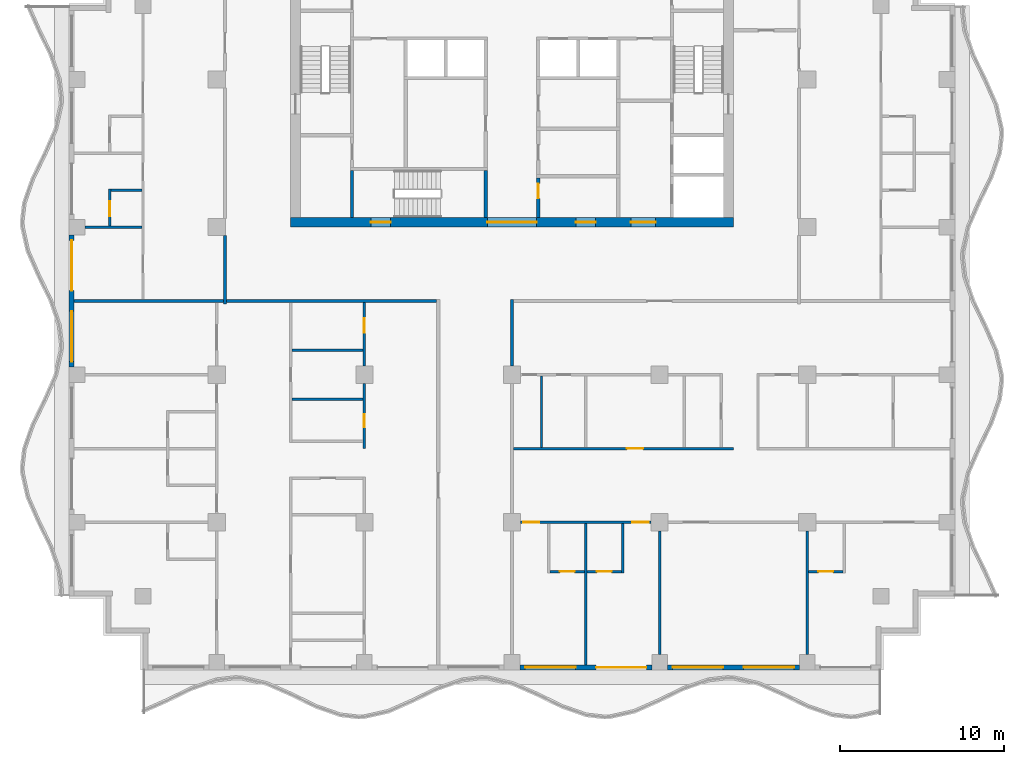
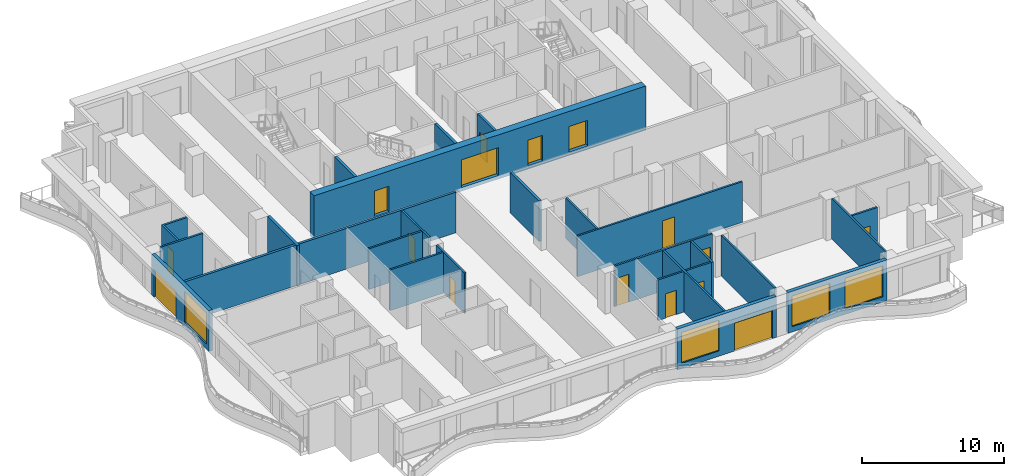
# One storey, part 3 of 11: 28 walls, 16 doors, 4 windows, 20 openings.
"""IFC4 building model written with IfcOpenShell, lengths in metres."""

import ifcopenshell
import ifcopenshell.guid

model = None  # the IFC model being written
_history = None  # IfcOwnerHistory: only IFC2X3 demands one
_inside = {}  # id of a spatial element -> (the spatial element, [elements in it])
_under = {}  # id of a project, library or spatial element -> (it, [spatial elements below it])
_declared = {}  # id of a project -> (the project, [libraries it declares])
_typed = {}  # id of a type object -> (the type object, [elements of that type])
_made_of = {}  # id of a material, layer set ... -> (it, [elements and type objects made of it])


def new_model(schema):
    """Start an empty IFC model of exactly this schema.

    Asked for "IFC4X3", IfcOpenShell would pick the latest addendum, in which some entities
    have other attributes; the version numbers below select the first issue.
    IFC2X3 requires an IfcOwnerHistory on every rooted entity: one is made here for all.
    """
    global model, _history
    if schema == "IFC4X3":
        model = ifcopenshell.file(schema_version=(4, 3, 0, 0))
    else:
        model = ifcopenshell.file(schema=schema)
    _inside.clear()
    _under.clear()
    _declared.clear()
    _typed.clear()
    _made_of.clear()
    _history = None
    if model.schema == "IFC2X3":
        org = make("IfcOrganization", Name="unknown")
        user = make(
            "IfcPersonAndOrganization",
            ThePerson=make("IfcPerson", FamilyName="unknown"),
            TheOrganization=org,
        )
        app = make(
            "IfcApplication",
            ApplicationDeveloper=org,
            Version="unknown",
            ApplicationFullName="unknown",
            ApplicationIdentifier="unknown",
        )
        _history = make(
            "IfcOwnerHistory",
            OwningUser=user,
            OwningApplication=app,
            ChangeAction="ADDED",
            CreationDate=0,
        )
    return model


def make(cls, **values):
    """One entity of the class cls with the attributes given. An attribute that is None is left unset."""
    return model.create_entity(
        cls, **{name: value for name, value in values.items() if value is not None}
    )


def rooted(cls, **values):
    """An entity with a GlobalId (a new one), such as an element, a storey or a relation."""
    return make(cls, GlobalId=ifcopenshell.guid.new(), OwnerHistory=_history, **values)


def si_unit(unit_type, name, prefix=None):
    """IfcSIUnit, for example si_unit("LENGTHUNIT", "METRE", prefix="MILLI")."""
    return make("IfcSIUnit", UnitType=unit_type, Prefix=prefix, Name=name)


def assignment(units):
    """IfcUnitAssignment: the units of a project."""
    return None if units is None else make("IfcUnitAssignment", Units=units)


def point(xyz):
    """IfcCartesianPoint."""
    return None if xyz is None else make("IfcCartesianPoint", Coordinates=xyz)


def direction(xyz):
    """IfcDirection."""
    return None if xyz is None else make("IfcDirection", DirectionRatios=xyz)


def frame(location, z_axis=None, x_axis=None):
    """IfcAxis2Placement3D, a coordinate frame: its origin and axes. An axis left out is left unset."""
    return make(
        "IfcAxis2Placement3D",
        Location=point(location),
        Axis=direction(z_axis),
        RefDirection=direction(x_axis),
    )


def frame_2d(location, x_axis=None):
    """IfcAxis2Placement2D, a coordinate frame in the plane: its origin and x axis."""
    return make(
        "IfcAxis2Placement2D", Location=point(location), RefDirection=direction(x_axis)
    )


def origin():
    """The frame at (0, 0, 0) with its axes left unset."""
    return frame((0.0, 0.0, 0.0))


def place(relative_to, where):
    """IfcLocalPlacement: puts the frame where relative to a parent placement (None: the world)."""
    return make(
        "IfcLocalPlacement", PlacementRelTo=relative_to, RelativePlacement=where
    )


def context(
    kind, dimensions, precision=None, world=None, true_north=None, identifier=None
):
    """IfcGeometricRepresentationContext, for example the 3D "Model" context."""
    return make(
        "IfcGeometricRepresentationContext",
        ContextIdentifier=identifier,
        ContextType=kind,
        CoordinateSpaceDimension=dimensions,
        Precision=precision,
        WorldCoordinateSystem=world,
        TrueNorth=true_north,
    )


def subcontext(parent, identifier, kind, view, scale=None):
    """IfcGeometricRepresentationSubContext, for example "Body" below "Model"."""
    return make(
        "IfcGeometricRepresentationSubContext",
        ContextIdentifier=identifier,
        ContextType=kind,
        ParentContext=parent,
        TargetScale=scale,
        TargetView=view,
    )


def project(units=None, contexts=None):
    """IfcProject with its units and contexts."""
    return rooted(
        "IfcProject",
        Name="project",
        RepresentationContexts=contexts,
        UnitsInContext=assignment(units),
    )


def spatial(cls, under=None, at=None, **own):
    """A site, building, storey or space (cls), placed at a placement, below another one or the project."""
    s = rooted(cls, ObjectPlacement=at, **own)
    if under is not None:
        _under.setdefault(under.id(), (under, []))[1].append(s)
    return s


def profile(cls, at=None, kind="AREA", **sizes):
    """A parametric profile (cls). Its sizes go by their IFC names, for example OverallWidth=200.0."""
    return make(cls, ProfileType=kind, Position=at, **sizes)


def rectangle(**sizes):
    """IfcRectangleProfileDef."""
    return profile("IfcRectangleProfileDef", **sizes)


def extrude(swept, where, along, depth):
    """IfcExtrudedAreaSolid: the profile swept, set in the frame where, extruded along a direction by depth."""
    return make(
        "IfcExtrudedAreaSolid",
        SweptArea=swept,
        Position=where,
        ExtrudedDirection=direction(along),
        Depth=depth,
    )


def shape(context_of_items, identifier, shape_type, items):
    """IfcShapeRepresentation: the items that make up one representation, for example the "Body"."""
    return make(
        "IfcShapeRepresentation",
        ContextOfItems=context_of_items,
        RepresentationIdentifier=identifier,
        RepresentationType=shape_type,
        Items=items,
    )


def material(Name=None, Category=None):
    """IfcMaterial."""
    return make("IfcMaterial", Name=Name, Category=Category)


def layer(
    of_material, thickness, ventilated=None, Name=None, Category=None, Priority=None
):
    """IfcMaterialLayer: one layer of a wall or slab, of a material (None: an air gap)."""
    return make(
        "IfcMaterialLayer",
        Material=of_material,
        LayerThickness=thickness,
        IsVentilated=ventilated,
        Name=Name,
        Category=Category,
        Priority=Priority,
    )


def layer_set(layers, Name=None):
    """IfcMaterialLayerSet."""
    return make("IfcMaterialLayerSet", MaterialLayers=layers, LayerSetName=Name)


def made_of(thing, what):
    """Note that an element or type object is made of a material, layer set ...; save() writes the relation."""
    if what is not None:
        _made_of.setdefault(what.id(), (what, []))[1].append(thing)
    return thing


def type_object(cls, material=None, **own):
    """A type object (cls), such as IfcWallType, which elements share."""
    return made_of(rooted(cls, **own), material)


def element(
    cls,
    number,
    at=None,
    inside=None,
    cuts=None,
    type_object=None,
    material=None,
    context=None,
    identifier="Body",
    shape_type=None,
    held_by="IfcProductDefinitionShape",
    body=None,
    shapes=None,
    **own,
):
    """One element of the class cls, such as IfcWall. Its Tag is "e" and its number.

    at: its placement. inside: the storey or other place that contains it. cuts: it is an
    opening in that element (IfcRelVoidsElement). A single representation is given by context,
    identifier, shape_type and body (its items); several are given by shapes. held_by: the class
    of the entity that holds the representations. save() writes the other relations.
    """
    e = rooted(cls, Tag="e%d" % number, ObjectPlacement=at, **own)
    if body is not None:
        shapes = [shape(context, identifier, shape_type, body)]
    if shapes is not None:
        e.Representation = make(held_by, Representations=shapes)
    if inside is not None:
        _inside.setdefault(inside.id(), (inside, []))[1].append(e)
    if cuts is not None:
        rooted(
            "IfcRelVoidsElement", RelatingBuildingElement=cuts, RelatedOpeningElement=e
        )
    if type_object is not None:
        _typed.setdefault(type_object.id(), (type_object, []))[1].append(e)
    return made_of(e, material)


def fill(opening, filler):
    """IfcRelFillsElement: the door or window that sits in an opening."""
    return rooted(
        "IfcRelFillsElement",
        RelatingOpeningElement=opening,
        RelatedBuildingElement=filler,
    )


def aggregate(whole, parts):
    """IfcRelAggregates: a whole, such as a stair, and the parts it consists of."""
    return rooted("IfcRelAggregates", RelatingObject=whole, RelatedObjects=parts)


def save(model, path):
    """Write the relations noted so far, then the file.

    IfcRelAggregates (storeys below a building ...), IfcRelContainedInSpatialStructure (elements
    in a storey), IfcRelDefinesByType, IfcRelAssociatesMaterial and IfcRelDeclares: one each for
    every whole, place, type object, material and project.
    """
    for whole, parts in _under.values():
        aggregate(whole, parts)
    for where, things in _inside.values():
        rooted(
            "IfcRelContainedInSpatialStructure",
            RelatedElements=things,
            RelatingStructure=where,
        )
    for kind, things in _typed.values():
        rooted("IfcRelDefinesByType", RelatedObjects=things, RelatingType=kind)
    for what, things in _made_of.values():
        rooted("IfcRelAssociatesMaterial", RelatedObjects=things, RelatingMaterial=what)
    for by, libraries in _declared.values():
        rooted("IfcRelDeclares", RelatingContext=by, RelatedDefinitions=libraries)
    model.write(path)


model = new_model("IFC4")

# Units and contexts
model_context = context("Model", 3, precision=1e-05, world=origin(), true_north=direction((0.0, 1.0)))
body_context = subcontext(model_context, "Body", "Model", "MODEL_VIEW")
ifc_project = project(units=[si_unit("LENGTHUNIT", "METRE"), si_unit("AREAUNIT", "SQUARE_METRE"), si_unit("VOLUMEUNIT", "CUBIC_METRE"), si_unit("PLANEANGLEUNIT", "RADIAN"), si_unit("MASSUNIT", "GRAM", prefix="KILO")], contexts=[model_context])

# Site, building, storey
site_placement = place(None, origin())
site = spatial("IfcSite", under=ifc_project, at=site_placement, CompositionType="ELEMENT")
building_placement = place(site_placement, origin())
building = spatial("IfcBuilding", under=site, at=building_placement, Name="Orbiselva Terraces", CompositionType="ELEMENT")
storey_placement = place(building_placement, frame((0.0, 0.0, 222.4)))
storey = spatial("IfcBuildingStorey", under=building, at=storey_placement, Name="L56", CompositionType="ELEMENT", Elevation=222.4)

# Wall, openings, doors
ifc_material_1 = material(Name="Concrete C80/95", Category="concrete")
ifc_layer_1 = layer(ifc_material_1, 0.6)
ifc_layer_set_1 = layer_set([ifc_layer_1], Name="Concrete C80/95")
wall_type_1 = type_object("IfcWallType", Name="CORE WALL 600", PredefinedType="SHEAR", material=ifc_layer_set_1)
wall_1_placement = place(storey_placement, frame((-13.5, 4.8, -0.3), z_axis=(0.0, 0.0, 1.0), x_axis=(1.0, 0.0, 0.0)))
wall_1 = element("IfcWall", 1, at=wall_1_placement, inside=storey, type_object=wall_type_1, Name="Core wall L56 south", PredefinedType="SHEAR", context=body_context, shape_type="SweptSolid", body=[
    extrude(rectangle(XDim=27.0, YDim=0.6, at=frame_2d((13.5, 0.0))), origin(), (0.0, 0.0, 1.0), 3.8),
])
opening_1_placement = place(wall_1_placement, frame((12.0, 0.0, 0.3)))
opening_1 = element("IfcOpeningElement", 2, at=opening_1_placement, cuts=wall_1, Name="Opening DL3000", PredefinedType="OPENING", context=body_context, shape_type="SweptSolid", body=[
    extrude(rectangle(XDim=3.0, YDim=2.4, at=frame_2d((1.5, 1.2))), frame((0.0, 0.31, 0.0), z_axis=(0.0, -1.0, 0.0), x_axis=(1.0, 0.0, 0.0)), (0.0, 0.0, 1.0), 0.62),
])
opening_2_placement = place(wall_1_placement, frame((4.9, 0.0, 0.3)))
opening_2 = element("IfcOpeningElement", 3, at=opening_2_placement, cuts=wall_1, Name="Opening DS1200", PredefinedType="OPENING", context=body_context, shape_type="SweptSolid", body=[
    extrude(rectangle(XDim=1.2, YDim=2.2, at=frame_2d((0.6, 1.1))), frame((0.0, 0.31, 0.0), z_axis=(0.0, -1.0, 0.0), x_axis=(1.0, 0.0, 0.0)), (0.0, 0.0, 1.0), 0.62),
])
opening_3_placement = place(wall_1_placement, frame((20.75, 0.0, 0.3)))
opening_3 = element("IfcOpeningElement", 4, at=opening_3_placement, cuts=wall_1, Name="Opening DF1500", PredefinedType="OPENING", context=body_context, shape_type="SweptSolid", body=[
    extrude(rectangle(XDim=1.5, YDim=2.2, at=frame_2d((0.75, 1.1))), frame((0.0, 0.31, 0.0), z_axis=(0.0, -1.0, 0.0), x_axis=(1.0, 0.0, 0.0)), (0.0, 0.0, 1.0), 0.62),
])
opening_4_placement = place(wall_1_placement, frame((17.4, 0.0, 0.3)))
opening_4 = element("IfcOpeningElement", 5, at=opening_4_placement, cuts=wall_1, Name="Opening DV1200", PredefinedType="OPENING", context=body_context, shape_type="SweptSolid", body=[
    extrude(rectangle(XDim=1.2, YDim=2.2, at=frame_2d((0.6, 1.1))), frame((0.0, 0.31, 0.0), z_axis=(0.0, -1.0, 0.0), x_axis=(1.0, 0.0, 0.0)), (0.0, 0.0, 1.0), 0.62),
])
ifc_material_2 = material(Name="Steel fire door", Category="steel")
door_type_1 = type_object("IfcDoorType", Name="FFL DOOR 1500", OperationType="DOUBLE_DOOR_SINGLE_SWING", PredefinedType="DOOR", material=ifc_material_2)
door_1_placement = place(opening_3_placement, frame((1.5, 0.0, 0.0), z_axis=(0.0, 0.0, 1.0), x_axis=(-1.0, 0.0, 0.0)))
door_1 = element("IfcDoor", 6, at=door_1_placement, inside=storey, type_object=door_type_1, Name="L56 FIRE-FIGHTING LOBBY door", OperationType="DOUBLE_DOOR_SINGLE_SWING", OverallHeight=2.2, OverallWidth=1.5, PredefinedType="DOOR", context=body_context, shape_type="SweptSolid", body=[
    extrude(rectangle(XDim=1.5, YDim=2.2, at=frame_2d((0.75, 1.1))), frame((0.0, 0.025, 0.0), z_axis=(0.0, -1.0, 0.0), x_axis=(1.0, 0.0, 0.0)), (0.0, 0.0, 1.0), 0.05),
])
fill(opening_3, door_1)
door_type_2 = type_object("IfcDoorType", Name="LOBBY DOOR 3000", OperationType="DOUBLE_DOOR_SINGLE_SWING", PredefinedType="DOOR", material=ifc_material_2)
door_2_placement = place(opening_1_placement, frame((3.0, 0.0, 0.0), z_axis=(0.0, 0.0, 1.0), x_axis=(-1.0, 0.0, 0.0)))
door_2 = element("IfcDoor", 7, at=door_2_placement, inside=storey, type_object=door_type_2, Name="L56 LIFT LOBBY door", OperationType="DOUBLE_DOOR_SINGLE_SWING", OverallHeight=2.4, OverallWidth=3.0, PredefinedType="DOOR", context=body_context, shape_type="SweptSolid", body=[
    extrude(rectangle(XDim=3.0, YDim=2.4, at=frame_2d((1.5, 1.2))), frame((0.0, 0.025, 0.0), z_axis=(0.0, -1.0, 0.0), x_axis=(1.0, 0.0, 0.0)), (0.0, 0.0, 1.0), 0.05),
])
fill(opening_1, door_2)
door_type_3 = type_object("IfcDoorType", Name="SERVICE DOOR 1200", OperationType="NOTDEFINED", PredefinedType="DOOR", material=ifc_material_2)
door_3_placement = place(opening_4_placement, frame((1.2, 0.0, 0.0), z_axis=(0.0, 0.0, 1.0), x_axis=(-1.0, 0.0, 0.0)))
door_3 = element("IfcDoor", 8, at=door_3_placement, inside=storey, type_object=door_type_3, Name="L56 ELECTRICAL RISER ROOM door", OperationType="SINGLE_SWING_RIGHT", OverallHeight=2.2, OverallWidth=1.2, PredefinedType="DOOR", context=body_context, shape_type="SweptSolid", body=[
    extrude(rectangle(XDim=1.2, YDim=2.2, at=frame_2d((0.6, 1.1))), frame((0.0, 0.025, 0.0), z_axis=(0.0, -1.0, 0.0), x_axis=(1.0, 0.0, 0.0)), (0.0, 0.0, 1.0), 0.05),
])
fill(opening_4, door_3)
door_type_4 = type_object("IfcDoorType", Name="STAIR DOOR 1200", OperationType="NOTDEFINED", PredefinedType="DOOR", material=ifc_material_2)
door_4_placement = place(opening_2_placement, frame((1.2, 0.0, 0.0), z_axis=(0.0, 0.0, 1.0), x_axis=(-1.0, 0.0, 0.0)))
door_4 = element("IfcDoor", 9, at=door_4_placement, inside=storey, type_object=door_type_4, Name="L56 EXIT STAIR S3 door", OperationType="SINGLE_SWING_LEFT", OverallHeight=2.2, OverallWidth=1.2, PredefinedType="DOOR", context=body_context, shape_type="SweptSolid", body=[
    extrude(rectangle(XDim=1.2, YDim=2.2, at=frame_2d((0.6, 1.1))), frame((0.0, 0.025, 0.0), z_axis=(0.0, -1.0, 0.0), x_axis=(1.0, 0.0, 0.0)), (0.0, 0.0, 1.0), 0.05),
])
fill(opening_2, door_4)

# Wall, opening, door
ifc_material_3 = material(Name="Masonry blockwork", Category="masonry")
ifc_layer_2 = layer(ifc_material_3, 0.2)
ifc_layer_set_2 = layer_set([ifc_layer_2], Name="Masonry blockwork")
wall_type_2 = type_object("IfcWallType", Name="CORE-WALL-PARTITION-200", PredefinedType="PARTITIONING", material=ifc_layer_set_2)
wall_2_placement = place(storey_placement, frame((1.6, 7.5, 0.0), z_axis=(0.0, 0.0, 1.0), x_axis=(0.0, -1.0, 0.0)))
wall_2 = element("IfcWall", 10, at=wall_2_placement, inside=storey, type_object=wall_type_2, Name="L56 core wall 22", PredefinedType="PARTITIONING", context=body_context, shape_type="SweptSolid", body=[
    extrude(rectangle(XDim=2.4, YDim=0.2, at=frame_2d((1.2, 0.0))), origin(), (0.0, 0.0, 1.0), 3.5),
])
opening_5_placement = place(wall_2_placement, frame((0.35, 0.0, 0.0)))
opening_5 = element("IfcOpeningElement", 11, at=opening_5_placement, cuts=wall_2, Name="Opening DR900", PredefinedType="OPENING", context=body_context, shape_type="SweptSolid", body=[
    extrude(rectangle(XDim=0.9, YDim=2.1, at=frame_2d((0.45, 1.05))), frame((0.0, 0.11, 0.0), z_axis=(0.0, -1.0, 0.0), x_axis=(1.0, 0.0, 0.0)), (0.0, 0.0, 1.0), 0.22),
])
door_type_5 = type_object("IfcDoorType", Name="ROOM DOOR 900", OperationType="NOTDEFINED", PredefinedType="DOOR", material=ifc_material_2)
door_5_placement = place(opening_5_placement, origin())
door_5 = element("IfcDoor", 12, at=door_5_placement, inside=storey, type_object=door_type_5, Name="L56 ELECTRICAL RISER ROOM door", OperationType="SINGLE_SWING_LEFT", OverallHeight=2.1, OverallWidth=0.9, PredefinedType="DOOR", context=body_context, shape_type="SweptSolid", body=[
    extrude(rectangle(XDim=0.9, YDim=2.1, at=frame_2d((0.45, 1.05))), frame((0.0, 0.025, 0.0), z_axis=(0.0, -1.0, 0.0), x_axis=(1.0, 0.0, 0.0)), (0.0, 0.0, 1.0), 0.05),
])
fill(opening_5, door_5)

# Walls
ifc_material_4 = material(Name="Concrete C60/75", Category="concrete")
ifc_layer_3 = layer(ifc_material_4, 0.2)
ifc_layer_set_3 = layer_set([ifc_layer_3], Name="Concrete C60/75")
wall_type_3 = type_object("IfcWallType", Name="CORE-WALL-SHEAR-200", PredefinedType="SHEAR", material=ifc_layer_set_3)
for number, where, z_axis, x_axis, name in (
    (13, (-9.75, 5.1, 0.0), (0.0, 0.0, 1.0), (0.0, 1.0, 0.0), "L56 core wall 03"),
    (14, (-1.6, 5.1, 0.0), (0.0, 0.0, 1.0), (0.0, 1.0, 0.0), "L56 core wall 18"),
):
    element("IfcWall", number, at=place(storey_placement, frame(where, z_axis=z_axis, x_axis=x_axis)), inside=storey, type_object=wall_type_3, Name=name, PredefinedType="SHEAR", context=body_context, shape_type="SweptSolid", body=[
        extrude(rectangle(XDim=2.85, YDim=0.2, at=frame_2d((1.425, 0.0))), origin(), (0.0, 0.0, 1.0), 3.5),
    ])

# Wall, openings, door, window
ifc_material_5 = material(Name="Terracotta cladding on masonry backing", Category="masonry")
ifc_layer_4 = layer(ifc_material_5, 0.3)
ifc_layer_set_4 = layer_set([ifc_layer_4], Name="Terracotta cladding on masonry backing")
wall_type_4 = type_object("IfcWallType", Name="ENV-WALL-TERRACOTTA-300", PredefinedType="SOLIDWALL", material=ifc_layer_set_4)
wall_3_placement = place(storey_placement, frame((8.525, -22.35, 0.0), z_axis=(0.0, 0.0, 1.0), x_axis=(-1.0, 0.0, 0.0)))
wall_3 = element("IfcWall", 15, at=wall_3_placement, inside=storey, type_object=wall_type_4, Name="Facade wall L56 S", PredefinedType="SOLIDWALL", context=body_context, shape_type="SweptSolid", body=[
    extrude(rectangle(XDim=8.05, YDim=0.3, at=frame_2d((4.025, 0.0))), origin(), (0.0, 0.0, 1.0), 3.5),
])
opening_6_placement = place(wall_3_placement, frame((4.65, 0.0, 0.45)))
opening_6 = element("IfcOpeningElement", 16, at=opening_6_placement, cuts=wall_3, Name="Opening WN15", PredefinedType="OPENING", context=body_context, shape_type="SweptSolid", body=[
    extrude(rectangle(XDim=3.075, YDim=2.65, at=frame_2d((1.5375, 1.325))), frame((0.0, 0.16, 0.0), z_axis=(0.0, -1.0, 0.0), x_axis=(1.0, 0.0, 0.0)), (0.0, 0.0, 1.0), 0.32),
])
opening_7_placement = place(wall_3_placement, frame((0.325, 0.0, 0.0)))
opening_7 = element("IfcOpeningElement", 17, at=opening_7_placement, cuts=wall_3, Name="Opening Z4-D-E03", PredefinedType="OPENING", context=body_context, shape_type="SweptSolid", body=[
    extrude(rectangle(XDim=3.075, YDim=2.4, at=frame_2d((1.5375, 1.2))), frame((0.0, 0.16, 0.0), z_axis=(0.0, -1.0, 0.0), x_axis=(1.0, 0.0, 0.0)), (0.0, 0.0, 1.0), 0.32),
])
ifc_material_6 = material(Name="Clear low-e glazing in aluminium frame", Category="aluminium")
door_type_6 = type_object("IfcDoorType", Name="BALCONY DOOR 3075 X 2400", OperationType="DOUBLE_DOOR_SLIDING", PredefinedType="DOOR", material=ifc_material_6)
door_6_placement = place(opening_7_placement, origin())
door_6 = element("IfcDoor", 18, at=door_6_placement, inside=storey, type_object=door_type_6, Name="Z4-D-E03", OperationType="SINGLE_SWING_LEFT", OverallHeight=2.4, OverallWidth=3.075, PredefinedType="DOOR", context=body_context, shape_type="SweptSolid", body=[
    extrude(rectangle(XDim=3.075, YDim=2.4, at=frame_2d((1.5375, 1.2))), frame((0.0, 0.025, 0.0), z_axis=(0.0, -1.0, 0.0), x_axis=(1.0, 0.0, 0.0)), (0.0, 0.0, 1.0), 0.05),
])
fill(opening_7, door_6)
window_type = type_object("IfcWindowType", Name="WINDOW 3075 X 2650 S450", PartitioningType="TRIPLE_PANEL_VERTICAL", PredefinedType="WINDOW", material=ifc_material_6)
window_1_placement = place(opening_6_placement, origin())
window_1 = element("IfcWindow", 19, at=window_1_placement, inside=storey, type_object=window_type, Name="Window L56 S", OverallHeight=2.65, OverallWidth=3.075, PartitioningType="SINGLE_PANEL", PredefinedType="WINDOW", context=body_context, shape_type="SweptSolid", body=[
    extrude(rectangle(XDim=3.075, YDim=2.65, at=frame_2d((1.5375, 1.325))), frame((0.0, 0.03, 0.0), z_axis=(0.0, -1.0, 0.0), x_axis=(1.0, 0.0, 0.0)), (0.0, 0.0, 1.0), 0.06),
])
fill(opening_6, window_1)

# Wall, openings, windows
wall_4_placement = place(storey_placement, frame((17.525, -22.35, 0.0), z_axis=(0.0, 0.0, 1.0), x_axis=(-1.0, 0.0, 0.0)))
wall_4 = element("IfcWall", 20, at=wall_4_placement, inside=storey, type_object=wall_type_4, Name="Facade wall L56 S", PredefinedType="SOLIDWALL", context=body_context, shape_type="SweptSolid", body=[
    extrude(rectangle(XDim=8.05, YDim=0.3, at=frame_2d((4.025, 0.0))), origin(), (0.0, 0.0, 1.0), 3.5),
])
opening_8_placement = place(wall_4_placement, frame((4.65, 0.0, 0.45)))
opening_8 = element("IfcOpeningElement", 21, at=opening_8_placement, cuts=wall_4, Name="Opening WN15", PredefinedType="OPENING", context=body_context, shape_type="SweptSolid", body=[
    extrude(rectangle(XDim=3.075, YDim=2.65, at=frame_2d((1.5375, 1.325))), frame((0.0, 0.16, 0.0), z_axis=(0.0, -1.0, 0.0), x_axis=(1.0, 0.0, 0.0)), (0.0, 0.0, 1.0), 0.32),
])
opening_9_placement = place(wall_4_placement, frame((0.325, 0.0, 0.45)))
opening_9 = element("IfcOpeningElement", 22, at=opening_9_placement, cuts=wall_4, Name="Opening WN15", PredefinedType="OPENING", context=body_context, shape_type="SweptSolid", body=[
    extrude(rectangle(XDim=3.075, YDim=2.65, at=frame_2d((1.5375, 1.325))), frame((0.0, 0.16, 0.0), z_axis=(0.0, -1.0, 0.0), x_axis=(1.0, 0.0, 0.0)), (0.0, 0.0, 1.0), 0.32),
])
window_2_placement = place(opening_8_placement, origin())
window_2 = element("IfcWindow", 23, at=window_2_placement, inside=storey, type_object=window_type, Name="Window L56 S", OverallHeight=2.65, OverallWidth=3.075, PartitioningType="SINGLE_PANEL", PredefinedType="WINDOW", context=body_context, shape_type="SweptSolid", body=[
    extrude(rectangle(XDim=3.075, YDim=2.65, at=frame_2d((1.5375, 1.325))), frame((0.0, 0.03, 0.0), z_axis=(0.0, -1.0, 0.0), x_axis=(1.0, 0.0, 0.0)), (0.0, 0.0, 1.0), 0.06),
])
fill(opening_8, window_2)
window_3_placement = place(opening_9_placement, origin())
window_3 = element("IfcWindow", 24, at=window_3_placement, inside=storey, type_object=window_type, Name="Window L56 S", OverallHeight=2.65, OverallWidth=3.075, PartitioningType="SINGLE_PANEL", PredefinedType="WINDOW", context=body_context, shape_type="SweptSolid", body=[
    extrude(rectangle(XDim=3.075, YDim=2.65, at=frame_2d((1.5375, 1.325))), frame((0.0, 0.03, 0.0), z_axis=(0.0, -1.0, 0.0), x_axis=(1.0, 0.0, 0.0)), (0.0, 0.0, 1.0), 0.06),
])
fill(opening_9, window_3)

# Wall, openings, door, window
wall_5_placement = place(storey_placement, frame((-26.85, -4.025, 0.0), z_axis=(0.0, 0.0, 1.0), x_axis=(0.0, 1.0, 0.0)))
wall_5 = element("IfcWall", 25, at=wall_5_placement, inside=storey, type_object=wall_type_4, Name="Facade wall L56 W", PredefinedType="SOLIDWALL", context=body_context, shape_type="SweptSolid", body=[
    extrude(rectangle(XDim=8.05, YDim=0.3, at=frame_2d((4.025, 0.0))), origin(), (0.0, 0.0, 1.0), 3.5),
])
opening_10_placement = place(wall_5_placement, frame((4.65, 0.0, 0.0)))
opening_10 = element("IfcOpeningElement", 26, at=opening_10_placement, cuts=wall_5, Name="Opening Z4-D-E11", PredefinedType="OPENING", context=body_context, shape_type="SweptSolid", body=[
    extrude(rectangle(XDim=3.075, YDim=2.4, at=frame_2d((1.5375, 1.2))), frame((0.0, 0.16, 0.0), z_axis=(0.0, -1.0, 0.0), x_axis=(1.0, 0.0, 0.0)), (0.0, 0.0, 1.0), 0.32),
])
opening_11_placement = place(wall_5_placement, frame((0.325, 0.0, 0.45)))
opening_11 = element("IfcOpeningElement", 27, at=opening_11_placement, cuts=wall_5, Name="Opening WN15", PredefinedType="OPENING", context=body_context, shape_type="SweptSolid", body=[
    extrude(rectangle(XDim=3.075, YDim=2.65, at=frame_2d((1.5375, 1.325))), frame((0.0, 0.16, 0.0), z_axis=(0.0, -1.0, 0.0), x_axis=(1.0, 0.0, 0.0)), (0.0, 0.0, 1.0), 0.32),
])
door_7_placement = place(opening_10_placement, origin())
door_7 = element("IfcDoor", 28, at=door_7_placement, inside=storey, type_object=door_type_6, Name="Z4-D-E11", OperationType="SINGLE_SWING_LEFT", OverallHeight=2.4, OverallWidth=3.075, PredefinedType="DOOR", context=body_context, shape_type="SweptSolid", body=[
    extrude(rectangle(XDim=3.075, YDim=2.4, at=frame_2d((1.5375, 1.2))), frame((0.0, 0.025, 0.0), z_axis=(0.0, -1.0, 0.0), x_axis=(1.0, 0.0, 0.0)), (0.0, 0.0, 1.0), 0.05),
])
fill(opening_10, door_7)
window_4_placement = place(opening_11_placement, origin())
window_4 = element("IfcWindow", 29, at=window_4_placement, inside=storey, type_object=window_type, Name="Window L56 W", OverallHeight=2.65, OverallWidth=3.075, PartitioningType="SINGLE_PANEL", PredefinedType="WINDOW", context=body_context, shape_type="SweptSolid", body=[
    extrude(rectangle(XDim=3.075, YDim=2.65, at=frame_2d((1.5375, 1.325))), frame((0.0, 0.03, 0.0), z_axis=(0.0, -1.0, 0.0), x_axis=(1.0, 0.0, 0.0)), (0.0, 0.0, 1.0), 0.06),
])
fill(opening_11, window_4)

# Walls
ifc_material_7 = material(Name="Plasterboard on steel stud partition", Category="steel")
ifc_layer_5 = layer(ifc_material_7, 0.2)
ifc_layer_set_5 = layer_set([ifc_layer_5], Name="Plasterboard on steel stud partition")
wall_type_5 = type_object("IfcWallType", Name="UNIT-ENTRANCE-WALL-200", PredefinedType="PARTITIONING", material=ifc_layer_set_5)
wall_6_placement = place(storey_placement, frame((-17.4, 0.0, 0.0), z_axis=(0.0, 0.0, 1.0), x_axis=(1.0, 0.0, 0.0)))
element("IfcWall", 30, at=wall_6_placement, inside=storey, type_object=wall_type_5, Name="PARTITION L56-027", PredefinedType="PARTITIONING", context=body_context, shape_type="SweptSolid", body=[
    extrude(rectangle(XDim=12.8, YDim=0.2, at=frame_2d((6.4, 0.0))), origin(), (0.0, 0.0, 1.0), 3.5),
])
wall_7_placement = place(storey_placement, frame((-17.5, -0.2, 0.0), z_axis=(0.0, 0.0, 1.0), x_axis=(0.0, 1.0, 0.0)))
element("IfcWall", 31, at=wall_7_placement, inside=storey, type_object=wall_type_5, Name="PARTITION L56-050", PredefinedType="PARTITIONING", context=body_context, shape_type="SweptSolid", body=[
    extrude(rectangle(XDim=4.175, YDim=0.2, at=frame_2d((2.0875, 0.0))), origin(), (0.0, 0.0, 1.0), 3.5),
])
wall_8_placement = place(storey_placement, frame((0.0, -3.975, 0.0), z_axis=(0.0, 0.0, 1.0), x_axis=(0.0, 1.0, 0.0)))
element("IfcWall", 32, at=wall_8_placement, inside=storey, type_object=wall_type_5, Name="PARTITION L56-062", PredefinedType="PARTITIONING", context=body_context, shape_type="SweptSolid", body=[
    extrude(rectangle(XDim=4.075, YDim=0.2, at=frame_2d((2.0375, 0.0))), origin(), (0.0, 0.0, 1.0), 3.5),
])

# Wall, opening, door
ifc_layer_6 = layer(ifc_material_7, 0.15)
ifc_layer_set_6 = layer_set([ifc_layer_6], Name="Plasterboard on steel stud partition")
wall_type_6 = type_object("IfcWallType", Name="UNIT-PARTITION-150", PredefinedType="PARTITIONING", material=ifc_layer_set_6)
wall_9_placement = place(storey_placement, frame((2.325, -16.5, 0.0), z_axis=(0.0, 0.0, 1.0), x_axis=(1.0, 0.0, 0.0)))
wall_9 = element("IfcWall", 33, at=wall_9_placement, inside=storey, type_object=wall_type_6, Name="PARTITION L56-003", PredefinedType="PARTITIONING", context=body_context, shape_type="SweptSolid", body=[
    extrude(rectangle(XDim=2.1, YDim=0.15, at=frame_2d((1.05, 0.0))), origin(), (0.0, 0.0, 1.0), 3.5),
])
opening_12_placement = place(wall_9_placement, frame((0.6, 0.0, 0.0)))
opening_12 = element("IfcOpeningElement", 34, at=opening_12_placement, cuts=wall_9, Name="Opening Z4-D-38", PredefinedType="OPENING", context=body_context, shape_type="SweptSolid", body=[
    extrude(rectangle(XDim=0.9, YDim=2.1, at=frame_2d((0.45, 1.05))), frame((0.0, 0.085, 0.0), z_axis=(0.0, -1.0, 0.0), x_axis=(1.0, 0.0, 0.0)), (0.0, 0.0, 1.0), 0.17),
])
ifc_material_8 = material(Name="Painted timber door leaf", Category="wood")
door_type_7 = type_object("IfcDoorType", Name="BATH DOOR 900", OperationType="NOTDEFINED", PredefinedType="DOOR", material=ifc_material_8)
door_8_placement = place(opening_12_placement, origin())
door_8 = element("IfcDoor", 35, at=door_8_placement, inside=storey, type_object=door_type_7, Name="Z4-D-38", OperationType="SINGLE_SWING_RIGHT", OverallHeight=2.1, OverallWidth=0.9, PredefinedType="DOOR", context=body_context, shape_type="SweptSolid", body=[
    extrude(rectangle(XDim=0.9, YDim=2.1, at=frame_2d((0.45, 1.05))), frame((0.0, 0.025, 0.0), z_axis=(0.0, -1.0, 0.0), x_axis=(1.0, 0.0, 0.0)), (0.0, 0.0, 1.0), 0.05),
])
fill(opening_12, door_8)

wall_10_placement = place(storey_placement, frame((4.575, -16.5, 0.0), z_axis=(0.0, 0.0, 1.0), x_axis=(1.0, 0.0, 0.0)))
wall_10 = element("IfcWall", 36, at=wall_10_placement, inside=storey, type_object=wall_type_6, Name="PARTITION L56-004", PredefinedType="PARTITIONING", context=body_context, shape_type="SweptSolid", body=[
    extrude(rectangle(XDim=2.1, YDim=0.15, at=frame_2d((1.05, 0.0))), origin(), (0.0, 0.0, 1.0), 3.5),
])
opening_13_placement = place(wall_10_placement, frame((0.6, 0.0, 0.0)))
opening_13 = element("IfcOpeningElement", 37, at=opening_13_placement, cuts=wall_10, Name="Opening Z4-D-40", PredefinedType="OPENING", context=body_context, shape_type="SweptSolid", body=[
    extrude(rectangle(XDim=0.9, YDim=2.1, at=frame_2d((0.45, 1.05))), frame((0.0, 0.085, 0.0), z_axis=(0.0, -1.0, 0.0), x_axis=(1.0, 0.0, 0.0)), (0.0, 0.0, 1.0), 0.17),
])
door_9_placement = place(opening_13_placement, origin())
door_9 = element("IfcDoor", 38, at=door_9_placement, inside=storey, type_object=door_type_7, Name="Z4-D-40", OperationType="SINGLE_SWING_LEFT", OverallHeight=2.1, OverallWidth=0.9, PredefinedType="DOOR", context=body_context, shape_type="SweptSolid", body=[
    extrude(rectangle(XDim=0.9, YDim=2.1, at=frame_2d((0.45, 1.05))), frame((0.0, 0.025, 0.0), z_axis=(0.0, -1.0, 0.0), x_axis=(1.0, 0.0, 0.0)), (0.0, 0.0, 1.0), 0.05),
])
fill(opening_13, door_9)

wall_11_placement = place(storey_placement, frame((18.075, -16.5, 0.0), z_axis=(0.0, 0.0, 1.0), x_axis=(1.0, 0.0, 0.0)))
wall_11 = element("IfcWall", 39, at=wall_11_placement, inside=storey, type_object=wall_type_6, Name="PARTITION L56-005", PredefinedType="PARTITIONING", context=body_context, shape_type="SweptSolid", body=[
    extrude(rectangle(XDim=2.1, YDim=0.15, at=frame_2d((1.05, 0.0))), origin(), (0.0, 0.0, 1.0), 3.5),
])
opening_14_placement = place(wall_11_placement, frame((0.6, 0.0, 0.0)))
opening_14 = element("IfcOpeningElement", 40, at=opening_14_placement, cuts=wall_11, Name="Opening Z4-D-43", PredefinedType="OPENING", context=body_context, shape_type="SweptSolid", body=[
    extrude(rectangle(XDim=0.9, YDim=2.1, at=frame_2d((0.45, 1.05))), frame((0.0, 0.085, 0.0), z_axis=(0.0, -1.0, 0.0), x_axis=(1.0, 0.0, 0.0)), (0.0, 0.0, 1.0), 0.17),
])
door_10_placement = place(opening_14_placement, origin())
door_10 = element("IfcDoor", 41, at=door_10_placement, inside=storey, type_object=door_type_7, Name="Z4-D-43", OperationType="SINGLE_SWING_LEFT", OverallHeight=2.1, OverallWidth=0.9, PredefinedType="DOOR", context=body_context, shape_type="SweptSolid", body=[
    extrude(rectangle(XDim=0.9, YDim=2.1, at=frame_2d((0.45, 1.05))), frame((0.0, 0.025, 0.0), z_axis=(0.0, -1.0, 0.0), x_axis=(1.0, 0.0, 0.0)), (0.0, 0.0, 1.0), 0.05),
])
fill(opening_14, door_10)

# Wall, openings, doors
wall_12_placement = place(storey_placement, frame((8.475, -13.5, 0.0), z_axis=(0.0, 0.0, 1.0), x_axis=(-1.0, 0.0, 0.0)))
wall_12 = element("IfcWall", 42, at=wall_12_placement, inside=storey, type_object=wall_type_6, Name="PARTITION L56-008", PredefinedType="PARTITIONING", context=body_context, shape_type="SweptSolid", body=[
    extrude(rectangle(XDim=7.95, YDim=0.15, at=frame_2d((3.975, 0.0))), origin(), (0.0, 0.0, 1.0), 3.5),
])
opening_15_placement = place(wall_12_placement, frame((6.8, 0.0, 0.0)))
opening_15 = element("IfcOpeningElement", 43, at=opening_15_placement, cuts=wall_12, Name="Opening Z4-D-37", PredefinedType="OPENING", context=body_context, shape_type="SweptSolid", body=[
    extrude(rectangle(XDim=1.0, YDim=2.4, at=frame_2d((0.5, 1.2))), frame((0.0, 0.085, 0.0), z_axis=(0.0, -1.0, 0.0), x_axis=(1.0, 0.0, 0.0)), (0.0, 0.0, 1.0), 0.17),
])
opening_16_placement = place(wall_12_placement, frame((0.15, 0.0, 0.0)))
opening_16 = element("IfcOpeningElement", 44, at=opening_16_placement, cuts=wall_12, Name="Opening Z4-D-39", PredefinedType="OPENING", context=body_context, shape_type="SweptSolid", body=[
    extrude(rectangle(XDim=1.0, YDim=2.4, at=frame_2d((0.5, 1.2))), frame((0.0, 0.085, 0.0), z_axis=(0.0, -1.0, 0.0), x_axis=(1.0, 0.0, 0.0)), (0.0, 0.0, 1.0), 0.17),
])
door_type_8 = type_object("IfcDoorType", Name="ROOM DOOR 1000", OperationType="NOTDEFINED", PredefinedType="DOOR", material=ifc_material_8)
door_11_placement = place(opening_15_placement, origin())
door_11 = element("IfcDoor", 45, at=door_11_placement, inside=storey, type_object=door_type_8, Name="Z4-D-37", OperationType="SINGLE_SWING_RIGHT", OverallHeight=2.4, OverallWidth=1.0, PredefinedType="DOOR", context=body_context, shape_type="SweptSolid", body=[
    extrude(rectangle(XDim=1.0, YDim=2.4, at=frame_2d((0.5, 1.2))), frame((0.0, 0.025, 0.0), z_axis=(0.0, -1.0, 0.0), x_axis=(1.0, 0.0, 0.0)), (0.0, 0.0, 1.0), 0.05),
])
fill(opening_15, door_11)
door_12_placement = place(opening_16_placement, origin())
door_12 = element("IfcDoor", 46, at=door_12_placement, inside=storey, type_object=door_type_8, Name="Z4-D-39", OperationType="SINGLE_SWING_LEFT", OverallHeight=2.4, OverallWidth=1.0, PredefinedType="DOOR", context=body_context, shape_type="SweptSolid", body=[
    extrude(rectangle(XDim=1.0, YDim=2.4, at=frame_2d((0.5, 1.2))), frame((0.0, 0.025, 0.0), z_axis=(0.0, -1.0, 0.0), x_axis=(1.0, 0.0, 0.0)), (0.0, 0.0, 1.0), 0.05),
])
fill(opening_16, door_12)

# Wall, opening, door
wall_13_placement = place(storey_placement, frame((0.1, -9.0, 0.0), z_axis=(0.0, 0.0, 1.0), x_axis=(1.0, 0.0, 0.0)))
wall_13 = element("IfcWall", 47, at=wall_13_placement, inside=storey, type_object=wall_type_6, Name="PARTITION L56-016", PredefinedType="PARTITIONING", context=body_context, shape_type="SweptSolid", body=[
    extrude(rectangle(XDim=13.4, YDim=0.15, at=frame_2d((6.7, 0.0))), origin(), (0.0, 0.0, 1.0), 3.5),
])
opening_17_placement = place(wall_13_placement, frame((6.9, 0.0, 0.0)))
opening_17 = element("IfcOpeningElement", 48, at=opening_17_placement, cuts=wall_13, Name="Opening Z4-D-32", PredefinedType="OPENING", context=body_context, shape_type="SweptSolid", body=[
    extrude(rectangle(XDim=1.0, YDim=2.4, at=frame_2d((0.5, 1.2))), frame((0.0, 0.085, 0.0), z_axis=(0.0, -1.0, 0.0), x_axis=(1.0, 0.0, 0.0)), (0.0, 0.0, 1.0), 0.17),
])
door_13_placement = place(opening_17_placement, origin())
door_13 = element("IfcDoor", 49, at=door_13_placement, inside=storey, type_object=door_type_8, Name="Z4-D-32", OperationType="SINGLE_SWING_RIGHT", OverallHeight=2.4, OverallWidth=1.0, PredefinedType="DOOR", context=body_context, shape_type="SweptSolid", body=[
    extrude(rectangle(XDim=1.0, YDim=2.4, at=frame_2d((0.5, 1.2))), frame((0.0, 0.025, 0.0), z_axis=(0.0, -1.0, 0.0), x_axis=(1.0, 0.0, 0.0)), (0.0, 0.0, 1.0), 0.05),
])
fill(opening_17, door_13)

# Walls
for number, where, z_axis, x_axis, name in (
    (50, (-13.425, -6.0, 0.0), (0.0, 0.0, 1.0), (1.0, 0.0, 0.0), "PARTITION L56-020"),
    (51, (-13.425, -3.0, 0.0), (0.0, 0.0, 1.0), (1.0, 0.0, 0.0), "PARTITION L56-026"),
):
    element("IfcWall", number, at=place(storey_placement, frame(where, z_axis=z_axis, x_axis=x_axis)), inside=storey, type_object=wall_type_6, Name=name, PredefinedType="PARTITIONING", context=body_context, shape_type="SweptSolid", body=[
        extrude(rectangle(XDim=4.35, YDim=0.15, at=frame_2d((2.175, 0.0))), origin(), (0.0, 0.0, 1.0), 3.5),
    ])
wall_14_placement = place(storey_placement, frame((-26.05, 4.5, 0.0), z_axis=(0.0, 0.0, 1.0), x_axis=(1.0, 0.0, 0.0)))
element("IfcWall", 52, at=wall_14_placement, inside=storey, type_object=wall_type_6, Name="PARTITION L56-031", PredefinedType="PARTITIONING", context=body_context, shape_type="SweptSolid", body=[
    extrude(rectangle(XDim=3.475, YDim=0.15, at=frame_2d((1.7375, 0.0))), origin(), (0.0, 0.0, 1.0), 3.5),
])
wall_15_placement = place(storey_placement, frame((-24.45, 6.75, 0.0), z_axis=(0.0, 0.0, 1.0), x_axis=(1.0, 0.0, 0.0)))
element("IfcWall", 53, at=wall_15_placement, inside=storey, type_object=wall_type_6, Name="PARTITION L56-033", PredefinedType="PARTITIONING", context=body_context, shape_type="SweptSolid", body=[
    extrude(rectangle(XDim=1.875, YDim=0.15, at=frame_2d((0.9375, 0.0))), origin(), (0.0, 0.0, 1.0), 3.5),
])

# Wall, opening, door
wall_16_placement = place(storey_placement, frame((-24.525, 6.825, 0.0), z_axis=(0.0, 0.0, 1.0), x_axis=(0.0, -1.0, 0.0)))
wall_16 = element("IfcWall", 54, at=wall_16_placement, inside=storey, type_object=wall_type_6, Name="PARTITION L56-041", PredefinedType="PARTITIONING", context=body_context, shape_type="SweptSolid", body=[
    extrude(rectangle(XDim=2.25, YDim=0.15, at=frame_2d((1.125, 0.0))), origin(), (0.0, 0.0, 1.0), 3.5),
])
opening_18_placement = place(wall_16_placement, frame((0.75, 0.0, 0.0)))
opening_18 = element("IfcOpeningElement", 55, at=opening_18_placement, cuts=wall_16, Name="Opening Z4-D-05", PredefinedType="OPENING", context=body_context, shape_type="SweptSolid", body=[
    extrude(rectangle(XDim=0.9, YDim=2.1, at=frame_2d((0.45, 1.05))), frame((0.0, 0.085, 0.0), z_axis=(0.0, -1.0, 0.0), x_axis=(1.0, 0.0, 0.0)), (0.0, 0.0, 1.0), 0.17),
])
door_14_placement = place(opening_18_placement, origin())
door_14 = element("IfcDoor", 56, at=door_14_placement, inside=storey, type_object=door_type_7, Name="Z4-D-05", OperationType="SINGLE_SWING_RIGHT", OverallHeight=2.1, OverallWidth=0.9, PredefinedType="DOOR", context=body_context, shape_type="SweptSolid", body=[
    extrude(rectangle(XDim=0.9, YDim=2.1, at=frame_2d((0.45, 1.05))), frame((0.0, 0.025, 0.0), z_axis=(0.0, -1.0, 0.0), x_axis=(1.0, 0.0, 0.0)), (0.0, 0.0, 1.0), 0.05),
])
fill(opening_18, door_14)

wall_17_placement = place(storey_placement, frame((-9.0, -9.0, 0.0), z_axis=(0.0, 0.0, 1.0), x_axis=(0.0, 1.0, 0.0)))
wall_17 = element("IfcWall", 57, at=wall_17_placement, inside=storey, type_object=wall_type_6, Name="PARTITION L56-057", PredefinedType="PARTITIONING", context=body_context, shape_type="SweptSolid", body=[
    extrude(rectangle(XDim=3.975, YDim=0.15, at=frame_2d((1.9875, 0.0))), origin(), (0.0, 0.0, 1.0), 3.5),
])
opening_19_placement = place(wall_17_placement, frame((1.3, 0.0, 0.0)))
opening_19 = element("IfcOpeningElement", 58, at=opening_19_placement, cuts=wall_17, Name="Opening Z4-D-19", PredefinedType="OPENING", context=body_context, shape_type="SweptSolid", body=[
    extrude(rectangle(XDim=0.8, YDim=2.0, at=frame_2d((0.4, 1.0))), frame((0.0, 0.085, 0.0), z_axis=(0.0, -1.0, 0.0), x_axis=(1.0, 0.0, 0.0)), (0.0, 0.0, 1.0), 0.17),
])
door_type_9 = type_object("IfcDoorType", Name="STORE DOOR 800", OperationType="NOTDEFINED", PredefinedType="DOOR", material=ifc_material_8)
door_15_placement = place(opening_19_placement, origin())
door_15 = element("IfcDoor", 59, at=door_15_placement, inside=storey, type_object=door_type_9, Name="Z4-D-19", OperationType="SINGLE_SWING_LEFT", OverallHeight=2.0, OverallWidth=0.8, PredefinedType="DOOR", context=body_context, shape_type="SweptSolid", body=[
    extrude(rectangle(XDim=0.8, YDim=2.0, at=frame_2d((0.4, 1.0))), frame((0.0, 0.025, 0.0), z_axis=(0.0, -1.0, 0.0), x_axis=(1.0, 0.0, 0.0)), (0.0, 0.0, 1.0), 0.05),
])
fill(opening_19, door_15)

wall_18_placement = place(storey_placement, frame((-9.0, -3.975, 0.0), z_axis=(0.0, 0.0, 1.0), x_axis=(0.0, 1.0, 0.0)))
wall_18 = element("IfcWall", 60, at=wall_18_placement, inside=storey, type_object=wall_type_6, Name="PARTITION L56-058", PredefinedType="PARTITIONING", context=body_context, shape_type="SweptSolid", body=[
    extrude(rectangle(XDim=3.875, YDim=0.15, at=frame_2d((1.9375, 0.0))), origin(), (0.0, 0.0, 1.0), 3.5),
])
opening_20_placement = place(wall_18_placement, frame((2.025, 0.0, 0.0)))
opening_20 = element("IfcOpeningElement", 61, at=opening_20_placement, cuts=wall_18, Name="Opening Z4-D-21", PredefinedType="OPENING", context=body_context, shape_type="SweptSolid", body=[
    extrude(rectangle(XDim=0.9, YDim=2.1, at=frame_2d((0.45, 1.05))), frame((0.0, 0.085, 0.0), z_axis=(0.0, -1.0, 0.0), x_axis=(1.0, 0.0, 0.0)), (0.0, 0.0, 1.0), 0.17),
])
door_type_10 = type_object("IfcDoorType", Name="SERVICE DOOR 900", OperationType="NOTDEFINED", PredefinedType="DOOR", material=ifc_material_8)
door_16_placement = place(opening_20_placement, origin())
door_16 = element("IfcDoor", 62, at=door_16_placement, inside=storey, type_object=door_type_10, Name="Z4-D-21", OperationType="SINGLE_SWING_RIGHT", OverallHeight=2.1, OverallWidth=0.9, PredefinedType="DOOR", context=body_context, shape_type="SweptSolid", body=[
    extrude(rectangle(XDim=0.9, YDim=2.1, at=frame_2d((0.45, 1.05))), frame((0.0, 0.025, 0.0), z_axis=(0.0, -1.0, 0.0), x_axis=(1.0, 0.0, 0.0)), (0.0, 0.0, 1.0), 0.05),
])
fill(opening_20, door_16)

# Walls
wall_19_placement = place(storey_placement, frame((1.8, -8.925, 0.0), z_axis=(0.0, 0.0, 1.0), x_axis=(0.0, 1.0, 0.0)))
element("IfcWall", 63, at=wall_19_placement, inside=storey, type_object=wall_type_6, Name="PARTITION L56-063", PredefinedType="PARTITIONING", context=body_context, shape_type="SweptSolid", body=[
    extrude(rectangle(XDim=4.35, YDim=0.15, at=frame_2d((2.175, 0.0))), origin(), (0.0, 0.0, 1.0), 3.5),
])
wall_20_placement = place(storey_placement, frame((4.5, -22.2, 0.0), z_axis=(0.0, 0.0, 1.0), x_axis=(0.0, 1.0, 0.0)))
element("IfcWall", 64, at=wall_20_placement, inside=storey, type_object=wall_type_6, Name="PARTITION L56-065", PredefinedType="PARTITIONING", context=body_context, shape_type="SweptSolid", body=[
    extrude(rectangle(XDim=8.625, YDim=0.15, at=frame_2d((4.3125, 0.0))), origin(), (0.0, 0.0, 1.0), 3.5),
])
wall_21_placement = place(storey_placement, frame((6.75, -16.575, 0.0), z_axis=(0.0, 0.0, 1.0), x_axis=(0.0, 1.0, 0.0)))
element("IfcWall", 65, at=wall_21_placement, inside=storey, type_object=wall_type_6, Name="PARTITION L56-067", PredefinedType="PARTITIONING", context=body_context, shape_type="SweptSolid", body=[
    extrude(rectangle(XDim=3.0, YDim=0.15, at=frame_2d((1.5, 0.0))), origin(), (0.0, 0.0, 1.0), 3.5),
])
for number, where, z_axis, x_axis, name in (
    (66, (9.0, -21.55, 0.0), (0.0, 0.0, 1.0), (0.0, 1.0, 0.0), "PARTITION L56-068"),
    (67, (18.0, -21.55, 0.0), (0.0, 0.0, 1.0), (0.0, 1.0, 0.0), "PARTITION L56-076"),
):
    element("IfcWall", number, at=place(storey_placement, frame(where, z_axis=z_axis, x_axis=x_axis)), inside=storey, type_object=wall_type_6, Name=name, PredefinedType="PARTITIONING", context=body_context, shape_type="SweptSolid", body=[
        extrude(rectangle(XDim=7.525, YDim=0.15, at=frame_2d((3.7625, 0.0))), origin(), (0.0, 0.0, 1.0), 3.5),
    ])
ifc_layer_7 = layer(ifc_material_7, 0.2)
ifc_layer_set_7 = layer_set([ifc_layer_7], Name="Plasterboard on steel stud partition")
wall_type_7 = type_object("IfcWallType", Name="UNIT-PARTY-WALL-200", PredefinedType="PARTITIONING", material=ifc_layer_set_7)
wall_22_placement = place(storey_placement, frame((-26.7, 0.0, 0.0), z_axis=(0.0, 0.0, 1.0), x_axis=(1.0, 0.0, 0.0)))
element("IfcWall", 68, at=wall_22_placement, inside=storey, type_object=wall_type_7, Name="PARTITION L56-029", PredefinedType="PARTITIONING", context=body_context, shape_type="SweptSolid", body=[
    extrude(rectangle(XDim=9.1, YDim=0.2, at=frame_2d((4.55, 0.0))), origin(), (0.0, 0.0, 1.0), 3.5),
])

save(model, "model.ifc")
